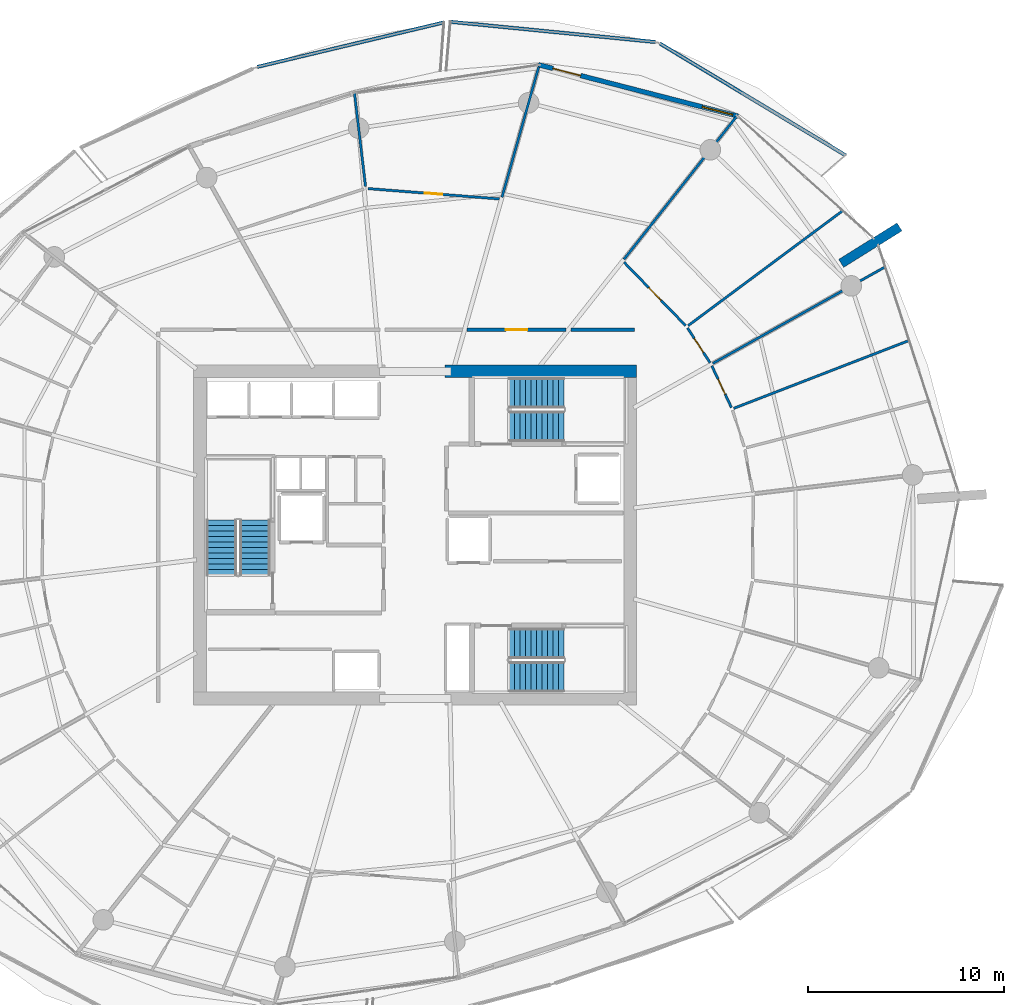
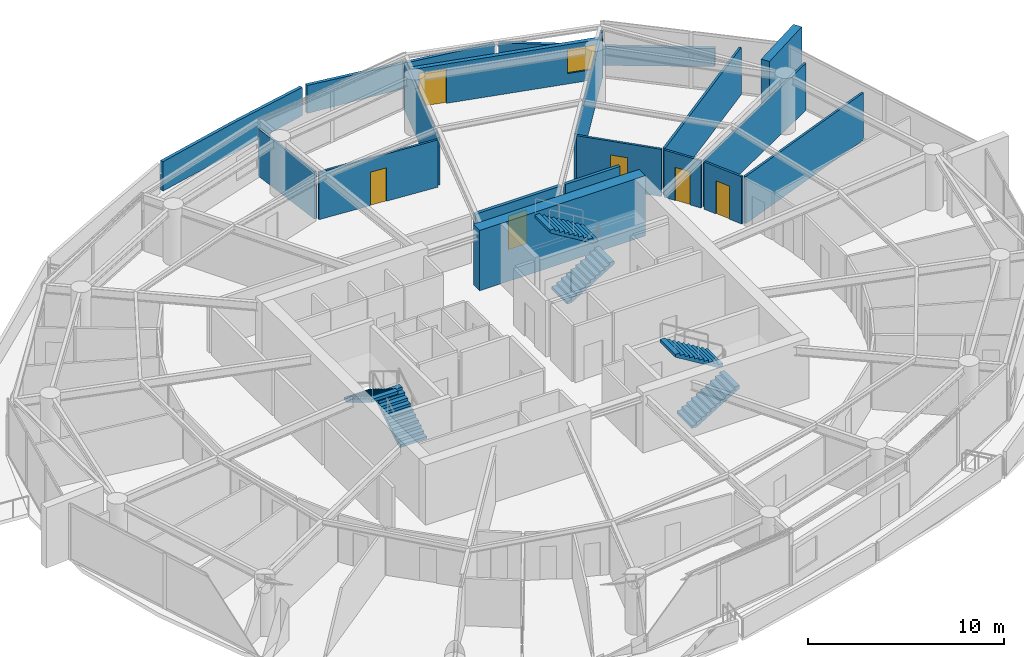
# One storey, part 15 of 20: 18 walls, 6 doors, 6 stair flights, 1 window, 7 openings, 3 elements without a shape of their own.
"""IFC4 building model written with IfcOpenShell, lengths in metres."""

from ifc_helpers import new_model, si_unit, direction, frame, frame_2d, origin, place, context, subcontext, project, spatial, polyline, rectangle, outline, extrude, material, layer, layer_set, type_object, element, fill, aggregate, save


model = new_model("IFC4")

# Units and contexts
model_context = context("Model", 3, precision=1e-05, world=origin(), true_north=direction((0.0, 1.0)))
body_context = subcontext(model_context, "Body", "Model", "MODEL_VIEW")
ifc_project = project(units=[si_unit("LENGTHUNIT", "METRE"), si_unit("AREAUNIT", "SQUARE_METRE"), si_unit("VOLUMEUNIT", "CUBIC_METRE"), si_unit("PLANEANGLEUNIT", "RADIAN"), si_unit("MASSUNIT", "GRAM", prefix="KILO")], contexts=[model_context])

# Site, building, storey
site_placement = place(None, origin())
site = spatial("IfcSite", under=ifc_project, at=site_placement, CompositionType="ELEMENT")
building_placement = place(site_placement, origin())
building = spatial("IfcBuilding", under=site, at=building_placement, Name="Kazma Halo Residences", CompositionType="ELEMENT")
storey_placement = place(building_placement, frame((0.0, 0.0, 214.050048828125)))
storey = spatial("IfcBuildingStorey", under=building, at=storey_placement, Name="L54", CompositionType="ELEMENT", Elevation=214.050048828125)

# Walls
ifc_material_1 = material(Name="White Concrete C50/60 Balustrade", Category="concrete")
ifc_layer_1 = layer(ifc_material_1, 0.179931640625)
ifc_layer_set_1 = layer_set([ifc_layer_1], Name="White Concrete C50/60 Balustrade")
wall_type_1 = type_object("IfcWallType", Name="WL-BAL-WAVE-180", PredefinedType="PARAPET", material=ifc_layer_set_1)
wall_1_placement = place(storey_placement, frame((70.33984375, 61.317138671875, 0.0), z_axis=(0.0, 0.0, 1.0), x_axis=(-0.856758582714, 0.515717685314, 0.0)))
element("IfcWall", 1, at=wall_1_placement, inside=storey, type_object=wall_type_1, Name="L54 white wave balustrade wall NE.1", PredefinedType="PARAPET", context=body_context, shape_type="SweptSolid", body=[
    extrude(outline(polyline([(0.0, 0.0), (11.04296875, 0.0), (11.042724609375, 1.347900390625), (5.521484375, 1.181884765625), (0.0, 1.119873046875), (0.0, 0.0)])), frame((0.0, 0.08984375, 0.0), z_axis=(0.0, -1.0, 0.0), x_axis=(1.0, 0.0, 0.0)), (0.0, 0.0, 1.0), 0.179931640625),
])
wall_2_placement = place(storey_placement, frame((60.656494140625, 67.085693359375, 0.0), z_axis=(0.0, 0.0, 1.0), x_axis=(-0.995154913377, 0.098319369306, 0.0)))
element("IfcWall", 2, at=wall_2_placement, inside=storey, type_object=wall_type_1, Name="L54 white wave balustrade wall NE.2", PredefinedType="PARAPET", context=body_context, shape_type="SweptSolid", body=[
    extrude(outline(polyline([(0.0, 0.0), (10.4912109375, 0.0), (10.4912109375, 1.7470703125), (5.24560546875, 1.56201171875), (0.0, 1.347900390625), (0.0, 0.0)])), frame((0.0, 0.08984375, 0.0), z_axis=(0.0, -1.0, 0.0), x_axis=(1.0, 0.0, 0.0)), (0.0, 0.0, 1.0), 0.179931640625),
])
wall_3_placement = place(storey_placement, frame((49.892578125, 68.08447265625, 0.0), z_axis=(0.0, 0.0, 1.0), x_axis=(-0.972746941522, -0.231869333374, 0.0)))
element("IfcWall", 3, at=wall_3_placement, inside=storey, type_object=wall_type_1, Name="L54 white wave balustrade wall NNW.1", PredefinedType="PARAPET", context=body_context, shape_type="SweptSolid", body=[
    extrude(outline(polyline([(0.0, 0.0), (9.772216796875, 0.0), (9.772216796875, 1.83203125), (4.885986328125, 1.85302734375), (0.0, 1.755859375), (0.0, 0.0)])), frame((0.0, 0.08984375, 0.0), z_axis=(0.0, -1.0, 0.0), x_axis=(1.0, 0.0, 0.0)), (0.0, 0.0, 1.0), 0.179931640625),
])
ifc_material_2 = material(Name="Pale Concrete C60/75", Category="concrete")
ifc_layer_2 = layer(ifc_material_2, 0.47998046875)
ifc_layer_set_2 = layer_set([ifc_layer_2], Name="Pale Concrete C60/75")
wall_type_2 = type_object("IfcWallType", Name="WL-BLADE-480", PredefinedType="SOLIDWALL", material=ifc_layer_set_2)
wall_4_placement = place(storey_placement, frame((70.11376953125, 55.818115234375, 0.0), z_axis=(0.0, 0.0, 1.0), x_axis=(0.848033572426, 0.529942506352, 0.0)))
element("IfcWall", 4, at=wall_4_placement, inside=storey, type_object=wall_type_2, Name="L54 pale concrete structural blade fin wall BW-01", PredefinedType="SOLIDWALL", context=body_context, shape_type="SweptSolid", body=[
    extrude(rectangle(XDim=3.5, YDim=0.47998046875, at=frame_2d((1.75, 0.0))), origin(), (0.0, 0.0, 1.0), 3.75),
])
ifc_material_3 = material(Name="Concrete C60/75", Category="concrete")
ifc_layer_3 = layer(ifc_material_3, 0.64990234375)
ifc_layer_set_3 = layer_set([ifc_layer_3], Name="Concrete C60/75")
wall_type_3 = type_object("IfcWallType", Name="WL-CORE-650", PredefinedType="SHEAR", material=ifc_layer_set_3)
wall_5_placement = place(storey_placement, frame((49.949951171875, 50.324951171875, 0.0), z_axis=(0.0, 0.0, 1.0), x_axis=(1.0, 0.0, 0.0)))
element("IfcWall", 5, at=wall_5_placement, inside=storey, type_object=wall_type_3, Name="L54 central core shear wall NE", PredefinedType="SHEAR", context=body_context, shape_type="SweptSolid", body=[
    extrude(rectangle(XDim=9.75, YDim=0.64990234375, at=frame_2d((4.875, 0.0))), origin(), (0.0, 0.0, 1.0), 3.75),
])

# Wall, opening, door
ifc_material_4 = material(Name="Acoustic Twin-Stud Gypsum")
ifc_layer_4 = layer(ifc_material_4, 0.179931640625)
ifc_layer_set_4 = layer_set([ifc_layer_4], Name="Acoustic Twin-Stud Gypsum")
wall_type_4 = type_object("IfcWallType", Name="WL-DEM-180", PredefinedType="PARTITIONING", material=ifc_layer_set_4)
wall_6_placement = place(storey_placement, frame((56.1181640625, 52.449951171875, 0.0), z_axis=(0.0, 0.0, 1.0), x_axis=(-1.0, 0.0, 0.0)))
wall_6 = element("IfcWall", 6, at=wall_6_placement, inside=storey, type_object=wall_type_4, Name="L54 Apartment 2 entrance corridor wall", PredefinedType="PARTITIONING", context=body_context, shape_type="SweptSolid", body=[
    extrude(rectangle(XDim=5.051025390625, YDim=0.179931640625, at=frame_2d((2.525390625, 0.0))), origin(), (0.0, 0.0, 1.0), 2.93994140625),
])
opening_1_placement = place(wall_6_placement, frame((1.975341796875, 0.0, 0.0)))
opening_1 = element("IfcOpeningElement", 7, at=opening_1_placement, cuts=wall_6, Name="Opening DA-1100", PredefinedType="OPENING", context=body_context, shape_type="SweptSolid", body=[
    extrude(rectangle(XDim=1.10009765625, YDim=2.10009765625, at=frame_2d((0.550048828125, 1.050048828125))), frame((0.0, 0.099853515625, 0.0), z_axis=(0.0, -1.0, 0.0), x_axis=(1.0, 0.0, 0.0)), (0.0, 0.0, 1.0), 0.199951171875),
])
ifc_material_5 = material(Name="Acoustic Walnut Fire Leaf")
door_type_1 = type_object("IfcDoorType", Name="DR-FD60-1100", OperationType="NOTDEFINED", PredefinedType="DOOR", material=ifc_material_5)
door_1_placement = place(opening_1_placement, origin())
door_1 = element("IfcDoor", 8, at=door_1_placement, inside=storey, type_object=door_type_1, Name="L54 Apartment 2 entrance fire door", OperationType="SINGLE_SWING_LEFT", OverallHeight=2.10009765625, OverallWidth=1.10009765625, PredefinedType="DOOR", context=body_context, shape_type="SweptSolid", body=[
    extrude(rectangle(XDim=1.10009765625, YDim=2.10009765625, at=frame_2d((0.550048828125, 1.050048828125))), frame((0.0, 0.02490234375, 0.0), z_axis=(0.0, -1.0, 0.0), x_axis=(1.0, 0.0, 0.0)), (0.0, 0.0, 1.0), 0.050048828125),
])
fill(opening_1, door_1)

# Wall
wall_7_placement = place(storey_placement, frame((59.580078125, 52.449951171875, 0.0), z_axis=(0.0, 0.0, 1.0), x_axis=(-1.0, 0.0, 0.0)))
element("IfcWall", 9, at=wall_7_placement, inside=storey, type_object=wall_type_4, Name="L54 Apartment 2 inner wall 0", PredefinedType="PARTITIONING", context=body_context, shape_type="SweptSolid", body=[
    extrude(rectangle(XDim=3.221923828125, YDim=0.179931640625, at=frame_2d((1.61083984375, 0.0))), origin(), (0.0, 0.0, 1.0), 2.93994140625),
])

# Wall, openings, door, window
ifc_material_6 = material(Name="Insulated Pale-Metal Composite Wall")
ifc_layer_5 = layer(ifc_material_6, 0.239990234375)
ifc_layer_set_5 = layer_set([ifc_layer_5], Name="Insulated Pale-Metal Composite Wall")
wall_type_5 = type_object("IfcWallType", Name="WL-EXT-HOST-240", PredefinedType="SOLIDWALL", material=ifc_layer_set_5)
wall_8_placement = place(storey_placement, frame((64.860107421875, 63.31298828125, 0.0), z_axis=(0.0, 0.0, 1.0), x_axis=(-0.968374028006, 0.249502989727, 0.0)))
wall_8 = element("IfcWall", 10, at=wall_8_placement, inside=storey, type_object=wall_type_5, Name="L54 exterior terrace-access wall B02", PredefinedType="SOLIDWALL", context=body_context, shape_type="SweptSolid", body=[
    extrude(rectangle(XDim=10.494384765625, YDim=0.239990234375, at=frame_2d((5.2470703125, 0.0))), origin(), (0.0, 0.0, 1.0), 2.449951171875),
])
opening_2_placement = place(wall_8_placement, frame((8.2744140625, 0.0, 0.0)))
opening_2 = element("IfcOpeningElement", 11, at=opening_2_placement, cuts=wall_8, Name="Opening DTR-1600", PredefinedType="OPENING", context=body_context, shape_type="SweptSolid", body=[
    extrude(rectangle(XDim=1.449951171875, YDim=2.14990234375, at=frame_2d((0.72509765625, 1.074951171875))), frame((0.0, 0.1298828125, 0.0), z_axis=(0.0, -1.0, 0.0), x_axis=(1.0, 0.0, 0.0)), (0.0, 0.0, 1.0), 0.260009765625),
])
opening_3_placement = place(wall_8_placement, frame((0.280029296875, 0.0, 0.64990234375)))
opening_3 = element("IfcOpeningElement", 12, at=opening_3_placement, cuts=wall_8, Name="Opening W-1800", PredefinedType="OPENING", context=body_context, shape_type="SweptSolid", body=[
    extrude(rectangle(XDim=1.60009765625, YDim=1.5, at=frame_2d((0.800048828125, 0.75))), frame((0.0, 0.1298828125, 0.0), z_axis=(0.0, -1.0, 0.0), x_axis=(1.0, 0.0, 0.0)), (0.0, 0.0, 1.0), 0.260009765625),
])
ifc_material_7 = material(Name="Aluminium AW-6063 T6 Double-Glazed Terrace Door", Category="aluminium")
door_type_2 = type_object("IfcDoorType", Name="DR-EXT-TERR-1600", OperationType="NOTDEFINED", PredefinedType="DOOR", material=ifc_material_7)
door_2_placement = place(opening_2_placement, origin())
door_2 = element("IfcDoor", 13, at=door_2_placement, inside=storey, type_object=door_type_2, Name="L54 B02 balcony terrace door", OperationType="DOUBLE_DOOR_SLIDING", OverallHeight=2.14990234375, OverallWidth=1.449951171875, PredefinedType="DOOR", context=body_context, shape_type="SweptSolid", body=[
    extrude(rectangle(XDim=1.449951171875, YDim=2.14990234375, at=frame_2d((0.72509765625, 1.074951171875))), frame((0.0, 0.02490234375, 0.0), z_axis=(0.0, -1.0, 0.0), x_axis=(1.0, 0.0, 0.0)), (0.0, 0.0, 1.0), 0.050048828125),
])
fill(opening_2, door_2)
ifc_material_8 = material(Name="Clear Triple-Silver Low-E Glass in Aluminium AW-6063 T6 Frame", Category="aluminium")
window_type = type_object("IfcWindowType", Name="WIN-RES-1800", PartitioningType="DOUBLE_PANEL_VERTICAL", PredefinedType="WINDOW", material=ifc_material_8)
window_placement = place(opening_3_placement, origin())
window = element("IfcWindow", 14, at=window_placement, inside=storey, type_object=window_type, Name="L54 B02 apartment window", OverallHeight=1.5, OverallWidth=1.60009765625, PartitioningType="SINGLE_PANEL", PredefinedType="WINDOW", context=body_context, shape_type="SweptSolid", body=[
    extrude(rectangle(XDim=1.60009765625, YDim=1.5, at=frame_2d((0.800048828125, 0.75))), frame((0.0, 0.030029296875, 0.0), z_axis=(0.0, -1.0, 0.0), x_axis=(1.0, 0.0, 0.0)), (0.0, 0.0, 1.0), 0.06005859375),
])
fill(opening_3, window)

# Wall
ifc_material_9 = material(Name="Gypsum Plasterboard Partition")
ifc_layer_6 = layer(ifc_material_9, 0.125)
ifc_layer_set_6 = layer_set([ifc_layer_6], Name="Gypsum Plasterboard Partition")
wall_type_6 = type_object("IfcWallType", Name="WL-PART-125", PredefinedType="PARTITIONING", material=ifc_layer_set_6)
wall_9_placement = place(storey_placement, frame((64.644775390625, 48.439453125, 0.0), z_axis=(0.0, 0.0, 1.0), x_axis=(0.932643011801, 0.360800516266, 0.0)))
element("IfcWall", 15, at=wall_9_placement, inside=storey, type_object=wall_type_6, Name="L54 Apartment 2 bay wall 2 15", PredefinedType="PARTITIONING", context=body_context, shape_type="SweptSolid", body=[
    extrude(rectangle(XDim=9.55322265625, YDim=0.125, at=frame_2d((4.776611328125, 0.0))), origin(), (0.0, 0.0, 1.0), 2.93994140625),
])

# Wall, opening, door
wall_10_placement = place(storey_placement, frame((64.52685546875, 48.479248046875, 0.0), z_axis=(0.0, 0.0, 1.0), x_axis=(-0.425751972865, 0.904839907167, 0.0)))
wall_10 = element("IfcWall", 16, at=wall_10_placement, inside=storey, type_object=wall_type_6, Name="L54 Apartment 2 Secondary Bedroom hall wall", PredefinedType="PARTITIONING", context=body_context, shape_type="SweptSolid", body=[
    extrude(rectangle(XDim=2.34814453125, YDim=0.125, at=frame_2d((1.174072265625, 0.0))), origin(), (0.0, 0.0, 1.0), 2.93994140625),
])
opening_4_placement = place(wall_10_placement, frame((0.7490234375, 0.0, 0.0)))
opening_4 = element("IfcOpeningElement", 17, at=opening_4_placement, cuts=wall_10, Name="Opening DB-900", PredefinedType="OPENING", context=body_context, shape_type="SweptSolid", body=[
    extrude(rectangle(XDim=0.85009765625, YDim=2.06005859375, at=frame_2d((0.425048828125, 1.030029296875))), frame((0.0, 0.072509765625, 0.0), z_axis=(0.0, -1.0, 0.0), x_axis=(1.0, 0.0, 0.0)), (0.0, 0.0, 1.0), 0.14501953125),
])
ifc_material_10 = material(Name="Moisture-Sealed Timber Leaf", Category="wood")
door_type_3 = type_object("IfcDoorType", Name="DR-BTH-900", OperationType="NOTDEFINED", PredefinedType="DOOR", material=ifc_material_10)
door_3_placement = place(opening_4_placement, origin())
door_3 = element("IfcDoor", 18, at=door_3_placement, inside=storey, type_object=door_type_3, Name="L54 Apartment 2 Secondary Bedroom door", OperationType="SINGLE_SWING_LEFT", OverallHeight=2.06005859375, OverallWidth=0.85009765625, PredefinedType="DOOR", context=body_context, shape_type="SweptSolid", body=[
    extrude(rectangle(XDim=0.85009765625, YDim=2.06005859375, at=frame_2d((0.425048828125, 1.030029296875))), frame((0.0, 0.02490234375, 0.0), z_axis=(0.0, -1.0, 0.0), x_axis=(1.0, 0.0, 0.0)), (0.0, 0.0, 1.0), 0.050048828125),
])
fill(opening_4, door_3)

# Walls
wall_11_placement = place(storey_placement, frame((63.580078125, 50.725341796875, 0.0), z_axis=(0.0, 0.0, 1.0), x_axis=(0.872500209599, 0.488613737271, 0.0)))
element("IfcWall", 19, at=wall_11_placement, inside=storey, type_object=wall_type_6, Name="L54 Apartment 2 radial partition 0", PredefinedType="PARTITIONING", context=body_context, shape_type="SweptSolid", body=[
    extrude(rectangle(XDim=10.0380859375, YDim=0.125, at=frame_2d((5.01904296875, 0.0))), origin(), (0.0, 0.0, 1.0), 2.93994140625),
])
wall_12_placement = place(storey_placement, frame((59.05517578125, 56.0234375, 0.0), z_axis=(0.0, 0.0, 1.0), x_axis=(0.619089281125, 0.785320610958, 0.0)))
element("IfcWall", 20, at=wall_12_placement, inside=storey, type_object=wall_type_6, Name="L54 Apartment 2 living radial partition 0", PredefinedType="PARTITIONING", context=body_context, shape_type="SweptSolid", body=[
    extrude(rectangle(XDim=9.273193359375, YDim=0.125, at=frame_2d((4.63671875, 0.0))), origin(), (0.0, 0.0, 1.0), 2.93994140625),
])
wall_13_placement = place(storey_placement, frame((62.322265625, 52.648193359375, 0.0), z_axis=(0.0, 0.0, 1.0), x_axis=(0.802503099197, 0.596647949615, 0.0)))
element("IfcWall", 21, at=wall_13_placement, inside=storey, type_object=wall_type_6, Name="L54 Apartment 2 mid-bay wall 0", PredefinedType="PARTITIONING", context=body_context, shape_type="SweptSolid", body=[
    extrude(rectangle(XDim=9.78076171875, YDim=0.125, at=frame_2d((4.890380859375, 0.0))), origin(), (0.0, 0.0, 1.0), 2.93994140625),
])

# Wall, opening, door
wall_14_placement = place(storey_placement, frame((63.4384765625, 50.76025390625, 0.0), z_axis=(0.0, 0.0, 1.0), x_axis=(-0.543655035047, 0.839308764918, 0.0)))
wall_14 = element("IfcWall", 22, at=wall_14_placement, inside=storey, type_object=wall_type_6, Name="L54 Apartment 2 East Wine Pantry Store hall wall", PredefinedType="PARTITIONING", context=body_context, shape_type="SweptSolid", body=[
    extrude(rectangle(XDim=2.105712890625, YDim=0.125, at=frame_2d((1.052734375, 0.0))), origin(), (0.0, 0.0, 1.0), 2.93994140625),
])
opening_5_placement = place(wall_14_placement, frame((0.627685546875, 0.0, 0.0)))
opening_5 = element("IfcOpeningElement", 23, at=opening_5_placement, cuts=wall_14, Name="Opening DB-900", PredefinedType="OPENING", context=body_context, shape_type="SweptSolid", body=[
    extrude(rectangle(XDim=0.85009765625, YDim=2.06005859375, at=frame_2d((0.425048828125, 1.030029296875))), frame((0.0, 0.072509765625, 0.0), z_axis=(0.0, -1.0, 0.0), x_axis=(1.0, 0.0, 0.0)), (0.0, 0.0, 1.0), 0.14501953125),
])
door_4_placement = place(opening_5_placement, origin())
door_4 = element("IfcDoor", 24, at=door_4_placement, inside=storey, type_object=door_type_3, Name="L54 Apartment 2 East Wine Pantry Store door", OperationType="SINGLE_SWING_LEFT", OverallHeight=2.06005859375, OverallWidth=0.85009765625, PredefinedType="DOOR", context=body_context, shape_type="SweptSolid", body=[
    extrude(rectangle(XDim=0.85009765625, YDim=2.06005859375, at=frame_2d((0.425048828125, 1.030029296875))), frame((0.0, 0.02490234375, 0.0), z_axis=(0.0, -1.0, 0.0), x_axis=(1.0, 0.0, 0.0)), (0.0, 0.0, 1.0), 0.050048828125),
])
fill(opening_5, door_4)

wall_15_placement = place(storey_placement, frame((62.1943359375, 52.652099609375, 0.0), z_axis=(0.0, 0.0, 1.0), x_axis=(-0.697036484993, 0.717035660611, 0.0)))
wall_15 = element("IfcWall", 25, at=wall_15_placement, inside=storey, type_object=wall_type_6, Name="L54 Apartment 2 West Formal Dining Room hall wall", PredefinedType="PARTITIONING", context=body_context, shape_type="SweptSolid", body=[
    extrude(rectangle(XDim=4.492431640625, YDim=0.125, at=frame_2d((2.24609375, 0.0))), origin(), (0.0, 0.0, 1.0), 2.93994140625),
])
opening_6_placement = place(wall_15_placement, frame((1.796142578125, 0.0, 0.0)))
opening_6 = element("IfcOpeningElement", 26, at=opening_6_placement, cuts=wall_15, Name="Opening DI-950", PredefinedType="OPENING", context=body_context, shape_type="SweptSolid", body=[
    extrude(rectangle(XDim=0.89990234375, YDim=2.080078125, at=frame_2d((0.449951171875, 1.0400390625))), frame((0.0, 0.072509765625, 0.0), z_axis=(0.0, -1.0, 0.0), x_axis=(1.0, 0.0, 0.0)), (0.0, 0.0, 1.0), 0.14501953125),
])
ifc_material_11 = material(Name="Timber Veneer Flush Leaf", Category="wood")
door_type_4 = type_object("IfcDoorType", Name="DR-INT-950", OperationType="NOTDEFINED", PredefinedType="DOOR", material=ifc_material_11)
door_5_placement = place(opening_6_placement, origin())
door_5 = element("IfcDoor", 27, at=door_5_placement, inside=storey, type_object=door_type_4, Name="L54 Apartment 2 West Formal Dining Room door", OperationType="SINGLE_SWING_RIGHT", OverallHeight=2.080078125, OverallWidth=0.89990234375, PredefinedType="DOOR", context=body_context, shape_type="SweptSolid", body=[
    extrude(rectangle(XDim=0.89990234375, YDim=2.080078125, at=frame_2d((0.449951171875, 1.0400390625))), frame((0.0, 0.02490234375, 0.0), z_axis=(0.0, -1.0, 0.0), x_axis=(1.0, 0.0, 0.0)), (0.0, 0.0, 1.0), 0.050048828125),
])
fill(opening_6, door_5)

# Wall
wall_16_placement = place(storey_placement, frame((52.84716796875, 59.1865234375, 0.0), z_axis=(0.0, 0.0, 1.0), x_axis=(0.271433998897, 0.962457055791, 0.0)))
element("IfcWall", 28, at=wall_16_placement, inside=storey, type_object=wall_type_6, Name="L54 Apartment 2 radial partition 2", PredefinedType="PARTITIONING", context=body_context, shape_type="SweptSolid", body=[
    extrude(rectangle(XDim=6.869873046875, YDim=0.125, at=frame_2d((3.43505859375, 0.0))), origin(), (0.0, 0.0, 1.0), 2.93994140625),
])

# Wall, opening, door
wall_17_placement = place(storey_placement, frame((52.710205078125, 59.098876953125, 0.0), z_axis=(0.0, 0.0, 1.0), x_axis=(-0.996916756268, 0.078466432773, 0.0)))
wall_17 = element("IfcWall", 29, at=wall_17_placement, inside=storey, type_object=wall_type_6, Name="L54 Apartment 2 North Master Bedroom gallery wall", PredefinedType="PARTITIONING", context=body_context, shape_type="SweptSolid", body=[
    extrude(rectangle(XDim=6.708251953125, YDim=0.125, at=frame_2d((3.35400390625, 0.0))), origin(), (0.0, 0.0, 1.0), 2.93994140625),
])
opening_7_placement = place(wall_17_placement, frame((2.904296875, 0.0, 0.0)))
opening_7 = element("IfcOpeningElement", 30, at=opening_7_placement, cuts=wall_17, Name="Opening DI-950", PredefinedType="OPENING", context=body_context, shape_type="SweptSolid", body=[
    extrude(rectangle(XDim=0.89990234375, YDim=2.080078125, at=frame_2d((0.449951171875, 1.0400390625))), frame((0.0, 0.072509765625, 0.0), z_axis=(0.0, -1.0, 0.0), x_axis=(1.0, 0.0, 0.0)), (0.0, 0.0, 1.0), 0.14501953125),
])
door_6_placement = place(opening_7_placement, origin())
door_6 = element("IfcDoor", 31, at=door_6_placement, inside=storey, type_object=door_type_4, Name="L54 Apartment 2 North Master Bedroom door", OperationType="SINGLE_SWING_LEFT", OverallHeight=2.080078125, OverallWidth=0.89990234375, PredefinedType="DOOR", context=body_context, shape_type="SweptSolid", body=[
    extrude(rectangle(XDim=0.89990234375, YDim=2.080078125, at=frame_2d((0.449951171875, 1.0400390625))), frame((0.0, 0.02490234375, 0.0), z_axis=(0.0, -1.0, 0.0), x_axis=(1.0, 0.0, 0.0)), (0.0, 0.0, 1.0), 0.050048828125),
])
fill(opening_7, door_6)

# Wall
wall_18_placement = place(storey_placement, frame((45.901123046875, 59.733154296875, 0.0), z_axis=(0.0, 0.0, 1.0), x_axis=(-0.117511168915, 0.993071560956, 0.0)))
element("IfcWall", 32, at=wall_18_placement, inside=storey, type_object=wall_type_6, Name="L54 Apartment 2 radial partition 3", PredefinedType="PARTITIONING", context=body_context, shape_type="SweptSolid", body=[
    extrude(rectangle(XDim=4.778564453125, YDim=0.125, at=frame_2d((2.38916015625, 0.0))), origin(), (0.0, 0.0, 1.0), 2.93994140625),
])

# Stair, stair flights
ifc_material_12 = material(Name="Concrete C50/60", Category="concrete")
stair_type = type_object("IfcStairType", Name="STR-RES1", PredefinedType="HALF_TURN_STAIR", material=ifc_material_12)
stair_1_placement = place(storey_placement, origin())
stair_1 = element("IfcStair", 33, at=stair_1_placement, inside=storey, type_object=stair_type, Name="L54 Core exit stair ST-01", PredefinedType="HALF_TURN_STAIR")
stair_flight_type = type_object("IfcStairFlightType", Name="STR-RES1-FLT", PredefinedType="STRAIGHT", material=ifc_material_12)
stair_flight_1_placement = place(storey_placement, frame((40.27490234375, 39.949951171875, 0.0), z_axis=(0.0, 0.0, 1.0), x_axis=(0.0, 1.0, 0.0)))
stair_flight_1 = element("IfcStairFlight", 34, at=stair_flight_1_placement, type_object=stair_flight_type, Name="ST-01 flight 1", NumberOfRisers=11, NumberOfTreads=10, PredefinedType="STRAIGHT", RiserHeight=0.170454545, TreadLength=0.28, context=body_context, shape_type="SweptSolid", body=[
    extrude(outline(polyline([(0.0, 0.0), (0.0, 0.17041015625), (0.280029296875, 0.17041015625), (0.280029296875, 0.3408203125), (0.56005859375, 0.3408203125), (0.56005859375, 0.511474609375), (0.840087890625, 0.511474609375), (0.840087890625, 0.681884765625), (1.1201171875, 0.681884765625), (1.1201171875, 0.852294921875), (1.39990234375, 0.852294921875), (1.39990234375, 1.022705078125), (1.679931640625, 1.022705078125), (1.679931640625, 1.193115234375), (1.9599609375, 1.193115234375), (1.9599609375, 1.363525390625), (2.239990234375, 1.363525390625), (2.239990234375, 1.5341796875), (2.52001953125, 1.5341796875), (2.52001953125, 1.70458984375), (2.800048828125, 1.70458984375), (2.800048828125, 1.875), (2.800048828125, 1.529052734375), (0.288330078125, 0.0), (0.0, 0.0)])), frame((0.0, 0.77490234375, 0.0), z_axis=(0.0, -1.0, 0.0), x_axis=(1.0, 0.0, 0.0)), (0.0, 0.0, 1.0), 1.550048828125),
])
stair_flight_2_placement = place(storey_placement, frame((38.574951171875, 42.75, 1.875), z_axis=(0.0, 0.0, 1.0), x_axis=(0.0, -1.0, 0.0)))
stair_flight_2 = element("IfcStairFlight", 35, at=stair_flight_2_placement, type_object=stair_flight_type, Name="ST-01 flight 2", NumberOfRisers=11, NumberOfTreads=10, PredefinedType="STRAIGHT", RiserHeight=0.170454545, TreadLength=0.28, context=body_context, shape_type="SweptSolid", body=[
    extrude(outline(polyline([(0.0, 0.0), (0.0, 0.17041015625), (0.280029296875, 0.17041015625), (0.280029296875, 0.3408203125), (0.56005859375, 0.3408203125), (0.56005859375, 0.511474609375), (0.840087890625, 0.511474609375), (0.840087890625, 0.681884765625), (1.1201171875, 0.681884765625), (1.1201171875, 0.852294921875), (1.39990234375, 0.852294921875), (1.39990234375, 1.022705078125), (1.679931640625, 1.022705078125), (1.679931640625, 1.193115234375), (1.9599609375, 1.193115234375), (1.9599609375, 1.363525390625), (2.239990234375, 1.363525390625), (2.239990234375, 1.5341796875), (2.52001953125, 1.5341796875), (2.52001953125, 1.70458984375), (2.800048828125, 1.70458984375), (2.800048828125, 1.875), (2.800048828125, 1.529052734375), (0.288330078125, 0.0), (0.0, 0.0)])), frame((0.0, 0.77490234375, 0.0), z_axis=(0.0, -1.0, 0.0), x_axis=(1.0, 0.0, 0.0)), (0.0, 0.0, 1.0), 1.550048828125),
])
aggregate(stair_1, [stair_flight_1, stair_flight_2])

stair_2_placement = place(storey_placement, origin())
stair_2 = element("IfcStair", 36, at=stair_2_placement, inside=storey, type_object=stair_type, Name="L54 Core exit stair ST-02", PredefinedType="HALF_TURN_STAIR")
stair_flight_3_placement = place(storey_placement, frame((53.199951171875, 47.52490234375, 0.0), z_axis=(0.0, 0.0, 1.0), x_axis=(1.0, 0.0, 0.0)))
stair_flight_3 = element("IfcStairFlight", 37, at=stair_flight_3_placement, type_object=stair_flight_type, Name="ST-02 flight 1", NumberOfRisers=11, NumberOfTreads=10, PredefinedType="STRAIGHT", RiserHeight=0.170454545, TreadLength=0.28, context=body_context, shape_type="SweptSolid", body=[
    extrude(outline(polyline([(0.0, 0.0), (0.0, 0.17041015625), (0.280029296875, 0.17041015625), (0.280029296875, 0.3408203125), (0.56005859375, 0.3408203125), (0.56005859375, 0.511474609375), (0.840087890625, 0.511474609375), (0.840087890625, 0.681884765625), (1.1201171875, 0.681884765625), (1.1201171875, 0.852294921875), (1.39990234375, 0.852294921875), (1.39990234375, 1.022705078125), (1.679931640625, 1.022705078125), (1.679931640625, 1.193115234375), (1.9599609375, 1.193115234375), (1.9599609375, 1.363525390625), (2.239990234375, 1.363525390625), (2.239990234375, 1.5341796875), (2.52001953125, 1.5341796875), (2.52001953125, 1.70458984375), (2.800048828125, 1.70458984375), (2.800048828125, 1.875), (2.800048828125, 1.529052734375), (0.288330078125, 0.0), (0.0, 0.0)])), frame((0.0, 0.77490234375, 0.0), z_axis=(0.0, -1.0, 0.0), x_axis=(1.0, 0.0, 0.0)), (0.0, 0.0, 1.0), 1.550048828125),
])
stair_flight_4_placement = place(storey_placement, frame((56.0, 49.22509765625, 1.875), z_axis=(0.0, 0.0, 1.0), x_axis=(-1.0, 0.0, 0.0)))
stair_flight_4 = element("IfcStairFlight", 38, at=stair_flight_4_placement, type_object=stair_flight_type, Name="ST-02 flight 2", NumberOfRisers=11, NumberOfTreads=10, PredefinedType="STRAIGHT", RiserHeight=0.170454545, TreadLength=0.28, context=body_context, shape_type="SweptSolid", body=[
    extrude(outline(polyline([(0.0, 0.0), (0.0, 0.17041015625), (0.280029296875, 0.17041015625), (0.280029296875, 0.3408203125), (0.56005859375, 0.3408203125), (0.56005859375, 0.511474609375), (0.840087890625, 0.511474609375), (0.840087890625, 0.681884765625), (1.1201171875, 0.681884765625), (1.1201171875, 0.852294921875), (1.39990234375, 0.852294921875), (1.39990234375, 1.022705078125), (1.679931640625, 1.022705078125), (1.679931640625, 1.193115234375), (1.9599609375, 1.193115234375), (1.9599609375, 1.363525390625), (2.239990234375, 1.363525390625), (2.239990234375, 1.5341796875), (2.52001953125, 1.5341796875), (2.52001953125, 1.70458984375), (2.800048828125, 1.70458984375), (2.800048828125, 1.875), (2.800048828125, 1.529052734375), (0.288330078125, 0.0), (0.0, 0.0)])), frame((0.0, 0.77490234375, 0.0), z_axis=(0.0, -1.0, 0.0), x_axis=(1.0, 0.0, 0.0)), (0.0, 0.0, 1.0), 1.550048828125),
])
aggregate(stair_2, [stair_flight_3, stair_flight_4])

stair_3_placement = place(storey_placement, origin())
stair_3 = element("IfcStair", 39, at=stair_3_placement, inside=storey, type_object=stair_type, Name="L54 Core exit stair ST-03", PredefinedType="HALF_TURN_STAIR")
stair_flight_5_placement = place(storey_placement, frame((53.199951171875, 34.77490234375, 0.0), z_axis=(0.0, 0.0, 1.0), x_axis=(1.0, 0.0, 0.0)))
stair_flight_5 = element("IfcStairFlight", 40, at=stair_flight_5_placement, type_object=stair_flight_type, Name="ST-03 flight 1", NumberOfRisers=11, NumberOfTreads=10, PredefinedType="STRAIGHT", RiserHeight=0.170454545, TreadLength=0.28, context=body_context, shape_type="SweptSolid", body=[
    extrude(outline(polyline([(0.0, 0.0), (0.0, 0.17041015625), (0.280029296875, 0.17041015625), (0.280029296875, 0.3408203125), (0.56005859375, 0.3408203125), (0.56005859375, 0.511474609375), (0.840087890625, 0.511474609375), (0.840087890625, 0.681884765625), (1.1201171875, 0.681884765625), (1.1201171875, 0.852294921875), (1.39990234375, 0.852294921875), (1.39990234375, 1.022705078125), (1.679931640625, 1.022705078125), (1.679931640625, 1.193115234375), (1.9599609375, 1.193115234375), (1.9599609375, 1.363525390625), (2.239990234375, 1.363525390625), (2.239990234375, 1.5341796875), (2.52001953125, 1.5341796875), (2.52001953125, 1.70458984375), (2.800048828125, 1.70458984375), (2.800048828125, 1.875), (2.800048828125, 1.529052734375), (0.288330078125, 0.0), (0.0, 0.0)])), frame((0.0, 0.77490234375, 0.0), z_axis=(0.0, -1.0, 0.0), x_axis=(1.0, 0.0, 0.0)), (0.0, 0.0, 1.0), 1.550048828125),
])
stair_flight_6_placement = place(storey_placement, frame((56.0, 36.47509765625, 1.875), z_axis=(0.0, 0.0, 1.0), x_axis=(-1.0, 0.0, 0.0)))
stair_flight_6 = element("IfcStairFlight", 41, at=stair_flight_6_placement, type_object=stair_flight_type, Name="ST-03 flight 2", NumberOfRisers=11, NumberOfTreads=10, PredefinedType="STRAIGHT", RiserHeight=0.170454545, TreadLength=0.28, context=body_context, shape_type="SweptSolid", body=[
    extrude(outline(polyline([(0.0, 0.0), (0.0, 0.17041015625), (0.280029296875, 0.17041015625), (0.280029296875, 0.3408203125), (0.56005859375, 0.3408203125), (0.56005859375, 0.511474609375), (0.840087890625, 0.511474609375), (0.840087890625, 0.681884765625), (1.1201171875, 0.681884765625), (1.1201171875, 0.852294921875), (1.39990234375, 0.852294921875), (1.39990234375, 1.022705078125), (1.679931640625, 1.022705078125), (1.679931640625, 1.193115234375), (1.9599609375, 1.193115234375), (1.9599609375, 1.363525390625), (2.239990234375, 1.363525390625), (2.239990234375, 1.5341796875), (2.52001953125, 1.5341796875), (2.52001953125, 1.70458984375), (2.800048828125, 1.70458984375), (2.800048828125, 1.875), (2.800048828125, 1.529052734375), (0.288330078125, 0.0), (0.0, 0.0)])), frame((0.0, 0.77490234375, 0.0), z_axis=(0.0, -1.0, 0.0), x_axis=(1.0, 0.0, 0.0)), (0.0, 0.0, 1.0), 1.550048828125),
])
aggregate(stair_3, [stair_flight_5, stair_flight_6])

save(model, "model.ifc")
